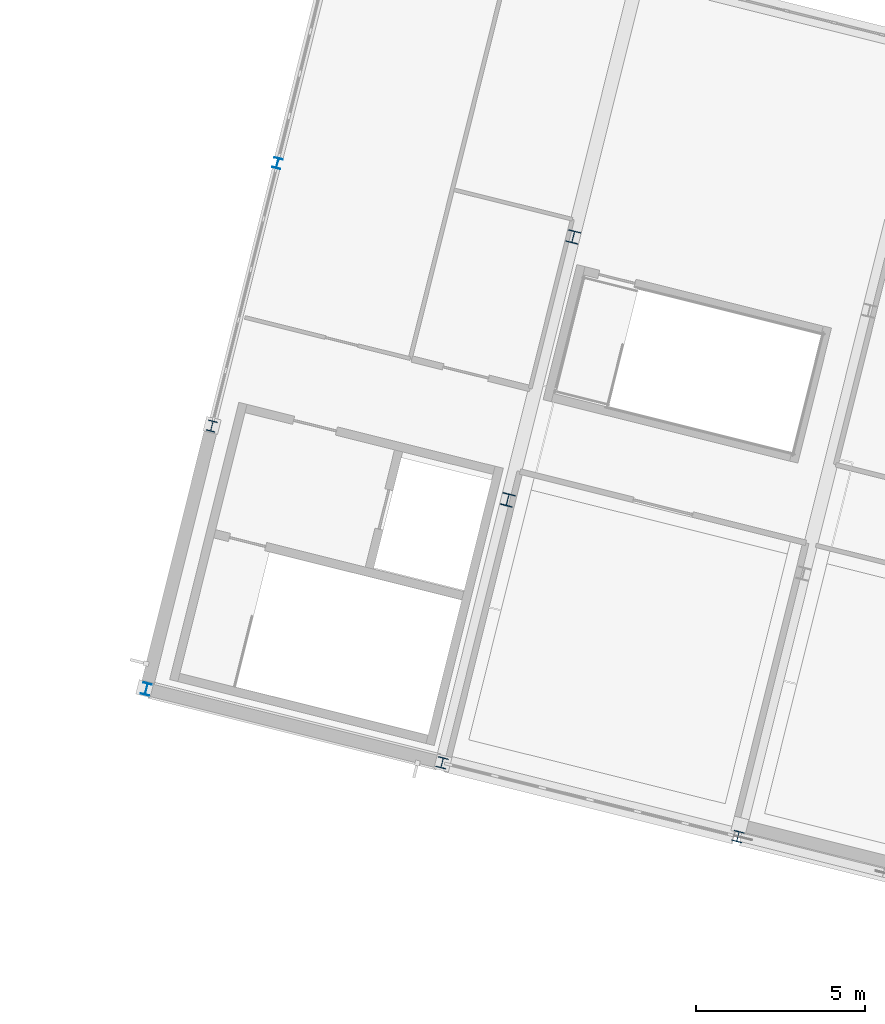
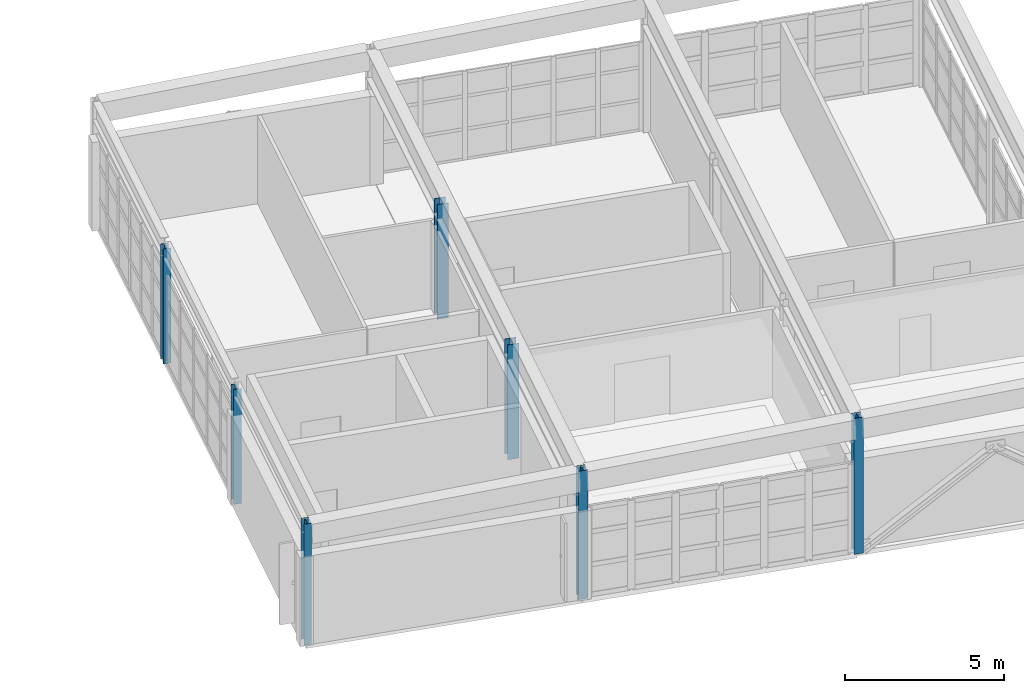
# One storey, part 1 of 27: 7 columns.
"""IFC4 building model written with IfcOpenShell, lengths in metres."""

from ifc_helpers import new_model, si_unit, direction, frame, origin, origin_2d, place, context, subcontext, project, spatial, i_section, extrude, material, material_profile, profile_set, type_object, element, save


model = new_model("IFC4")

# Units and contexts
model_context = context("Model", 3, precision=1e-05, world=origin(), true_north=direction((0.0, 1.0)))
body_context = subcontext(model_context, "Body", "Model", "MODEL_VIEW")
ifc_project = project(units=[si_unit("LENGTHUNIT", "METRE"), si_unit("AREAUNIT", "SQUARE_METRE"), si_unit("VOLUMEUNIT", "CUBIC_METRE"), si_unit("PLANEANGLEUNIT", "RADIAN"), si_unit("MASSUNIT", "GRAM", prefix="KILO")], contexts=[model_context])

# Site, building, storey
site_placement = place(None, origin())
site = spatial("IfcSite", under=ifc_project, at=site_placement, CompositionType="ELEMENT")
building_placement = place(site_placement, origin())
building = spatial("IfcBuilding", under=site, at=building_placement, Name="Vireo Bluff Cable Station", CompositionType="ELEMENT")
storey_placement = place(building_placement, frame((0.0, 0.0, 19.199951171875)))
storey = spatial("IfcBuildingStorey", under=building, at=storey_placement, Name="L04", CompositionType="ELEMENT", Elevation=19.199951171875)

# Columns
ifc_material = material(Name="Steel ASTM A992 Gr. 50", Category="steel")
ifc_material_profile_1 = material_profile(ifc_material, i_section(OverallWidth=0.37109375, OverallDepth=0.363037109375, WebThickness=0.01318359375, FlangeThickness=0.021728515625, FilletRadius=0.014892578125, at=origin_2d()), Name="W14X109")
ifc_profile_set_1 = profile_set([ifc_material_profile_1], Name="Steel ASTM A992 Gr. 50")
column_type_1 = type_object("IfcColumnType", Name="COL-W14X109", PredefinedType="COLUMN", material=ifc_profile_set_1)
column_1_placement = place(storey_placement, frame((64.66796875, 43.5849609375, 0.0), z_axis=(0.0, 0.0, 1.0), x_axis=(0.970295726276, -0.2419218956, 0.0)))
element("IfcColumn", 1, at=column_1_placement, inside=storey, type_object=column_type_1, Name="V1 L04 column 30", PredefinedType="COLUMN", context=body_context, shape_type="SweptSolid", body=[
    extrude(i_section(OverallWidth=0.37109375, OverallDepth=0.363037109375, WebThickness=0.01318359375, FlangeThickness=0.021728515625, FilletRadius=0.014892578125, at=origin_2d()), origin(), (0.0, 0.0, 1.0), 4.400146484375),
])
ifc_material_profile_2 = material_profile(ifc_material, i_section(OverallWidth=0.367919921875, OverallDepth=0.35595703125, WebThickness=0.01123046875, FlangeThickness=0.01806640625, FilletRadius=0.014892578125, at=origin_2d()), Name="W14X90")
ifc_profile_set_2 = profile_set([ifc_material_profile_2], Name="Steel ASTM A992 Gr. 50")
column_type_2 = type_object("IfcColumnType", Name="COL-W14X90", PredefinedType="COLUMN", material=ifc_profile_set_2)
column_2_placement = place(storey_placement, frame((66.603515625, 51.347412109375, 0.0), z_axis=(0.0, 0.0, 1.0), x_axis=(0.970295726276, -0.2419218956, 0.0)))
element("IfcColumn", 2, at=column_2_placement, inside=storey, type_object=column_type_2, Name="V1 L04 column 35", PredefinedType="COLUMN", context=body_context, shape_type="SweptSolid", body=[
    extrude(i_section(OverallWidth=0.367919921875, OverallDepth=0.35595703125, WebThickness=0.01123046875, FlangeThickness=0.01806640625, FilletRadius=0.014892578125, at=origin_2d()), origin(), (0.0, 0.0, 1.0), 4.400146484375),
])
ifc_material_profile_3 = material_profile(ifc_material, i_section(OverallWidth=0.304931640625, OverallDepth=0.306884765625, WebThickness=0.010009765625, FlangeThickness=0.015380859375, FilletRadius=0.012939453125, at=origin_2d()), Name="W12X65")
ifc_profile_set_3 = profile_set([ifc_material_profile_3], Name="Steel ASTM A992 Gr. 50")
column_type_3 = type_object("IfcColumnType", Name="ECOL-W12X65", PredefinedType="COLUMN", material=ifc_profile_set_3)
column_3_placement = place(storey_placement, frame((62.732666015625, 35.82275390625, 0.0), z_axis=(0.0, 0.0, 1.0), x_axis=(0.970295726276, -0.2419218956, 0.0)))
element("IfcColumn", 3, at=column_3_placement, inside=storey, type_object=column_type_3, Name="V1 L04 column 25", PredefinedType="COLUMN", context=body_context, shape_type="SweptSolid", body=[
    extrude(i_section(OverallWidth=0.304931640625, OverallDepth=0.306884765625, WebThickness=0.010009765625, FlangeThickness=0.015380859375, FilletRadius=0.012939453125, at=origin_2d()), origin(), (0.0, 0.0, 1.0), 4.92578125),
])
column_4_placement = place(storey_placement, frame((71.46533203125, 33.6455078125, 0.0), z_axis=(0.0, 0.0, 1.0), x_axis=(0.970295726276, -0.2419218956, 0.0)))
element("IfcColumn", 4, at=column_4_placement, inside=storey, type_object=column_type_3, Name="V1 L04 column 45", PredefinedType="COLUMN", context=body_context, shape_type="SweptSolid", body=[
    extrude(i_section(OverallWidth=0.304931640625, OverallDepth=0.306884765625, WebThickness=0.010009765625, FlangeThickness=0.015380859375, FilletRadius=0.012939453125, at=origin_2d()), origin(), (0.0, 0.0, 1.0), 5.21142578125),
])
ifc_material_profile_4 = material_profile(ifc_material, i_section(OverallWidth=0.25390625, OverallDepth=0.305908203125, WebThickness=0.0087890625, FlangeThickness=0.0146484375, FilletRadius=0.010986328125, at=origin_2d()), Name="W12X53")
ifc_profile_set_4 = profile_set([ifc_material_profile_4], Name="Steel ASTM A992 Gr. 50")
column_type_4 = type_object("IfcColumnType", Name="PIL-W12X53", PredefinedType="PILASTER", material=ifc_profile_set_4)
column_5_placement = place(storey_placement, frame((57.870849609375, 53.524658203125, 0.0), z_axis=(0.0, 0.0, 1.0), x_axis=(0.970295726276, -0.2419218956, 0.0)))
element("IfcColumn", 5, at=column_5_placement, inside=storey, type_object=column_type_4, Name="V1 L04 column 15", PredefinedType="PILASTER", context=body_context, shape_type="SweptSolid", body=[
    extrude(i_section(OverallWidth=0.25390625, OverallDepth=0.305908203125, WebThickness=0.0087890625, FlangeThickness=0.0146484375, FilletRadius=0.010986328125, at=origin_2d()), origin(), (0.0, 0.0, 1.0), 4.400146484375),
])
ifc_material_profile_5 = material_profile(ifc_material, i_section(OverallWidth=0.25390625, OverallDepth=0.31005859375, WebThickness=0.009033203125, FlangeThickness=0.016357421875, FilletRadius=0.010986328125, at=origin_2d()), Name="W12X58")
ifc_profile_set_5 = profile_set([ifc_material_profile_5], Name="Steel ASTM A992 Gr. 50")
column_type_5 = type_object("IfcColumnType", Name="PIL-W12X58", PredefinedType="PILASTER", material=ifc_profile_set_5)
column_6_placement = place(storey_placement, frame((55.935302734375, 45.762451171875, 0.0), z_axis=(0.0, 0.0, 1.0), x_axis=(0.970295726276, -0.2419218956, 0.0)))
element("IfcColumn", 6, at=column_6_placement, inside=storey, type_object=column_type_5, Name="V1 L04 column 10", PredefinedType="PILASTER", context=body_context, shape_type="SweptSolid", body=[
    extrude(i_section(OverallWidth=0.25390625, OverallDepth=0.31005859375, WebThickness=0.009033203125, FlangeThickness=0.016357421875, FilletRadius=0.010986328125, at=origin_2d()), origin(), (0.0, 0.0, 1.0), 4.400146484375),
])
ifc_material_profile_6 = material_profile(ifc_material, i_section(OverallWidth=0.25390625, OverallDepth=0.35302734375, WebThickness=0.009521484375, FlangeThickness=0.016357421875, FilletRadius=0.011962890625, at=origin_2d()), Name="W14X61")
ifc_profile_set_6 = profile_set([ifc_material_profile_6], Name="Steel ASTM A992 Gr. 50")
column_type_6 = type_object("IfcColumnType", Name="PIL-W14X61", PredefinedType="PILASTER", material=ifc_profile_set_6)
column_7_placement = place(storey_placement, frame((54.0, 38.0, 0.0), z_axis=(0.0, 0.0, 1.0), x_axis=(0.970295726276, -0.2419218956, 0.0)))
element("IfcColumn", 7, at=column_7_placement, inside=storey, type_object=column_type_6, Name="V1 L04 column 5", PredefinedType="PILASTER", context=body_context, shape_type="SweptSolid", body=[
    extrude(i_section(OverallWidth=0.25390625, OverallDepth=0.35302734375, WebThickness=0.009521484375, FlangeThickness=0.016357421875, FilletRadius=0.011962890625, at=origin_2d()), origin(), (0.0, 0.0, 1.0), 4.64013671875),
])

save(model, "model.ifc")
